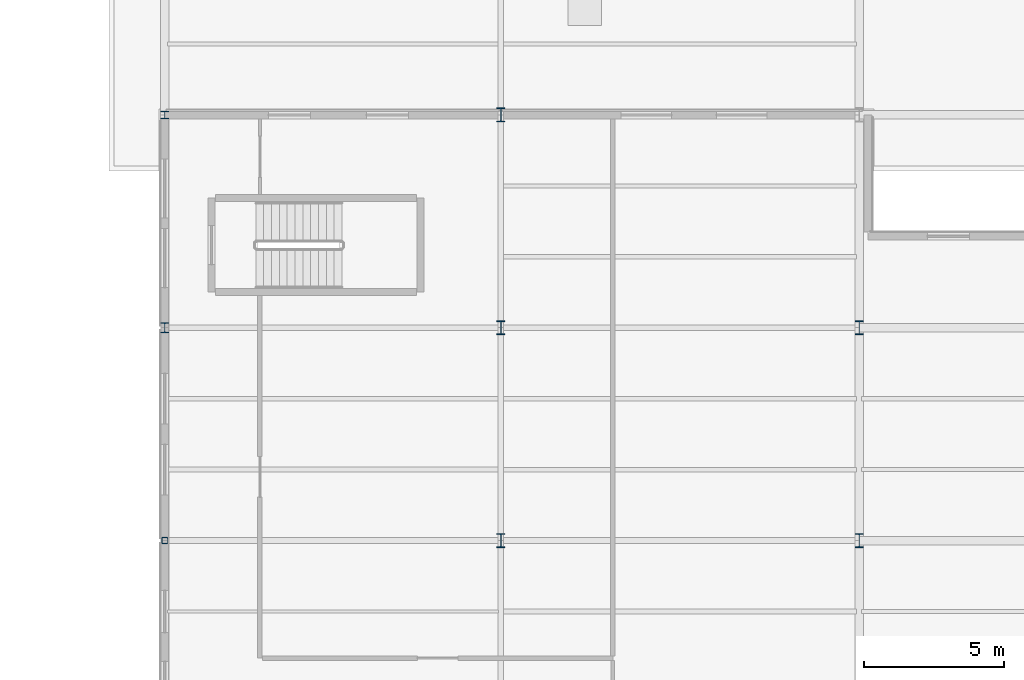
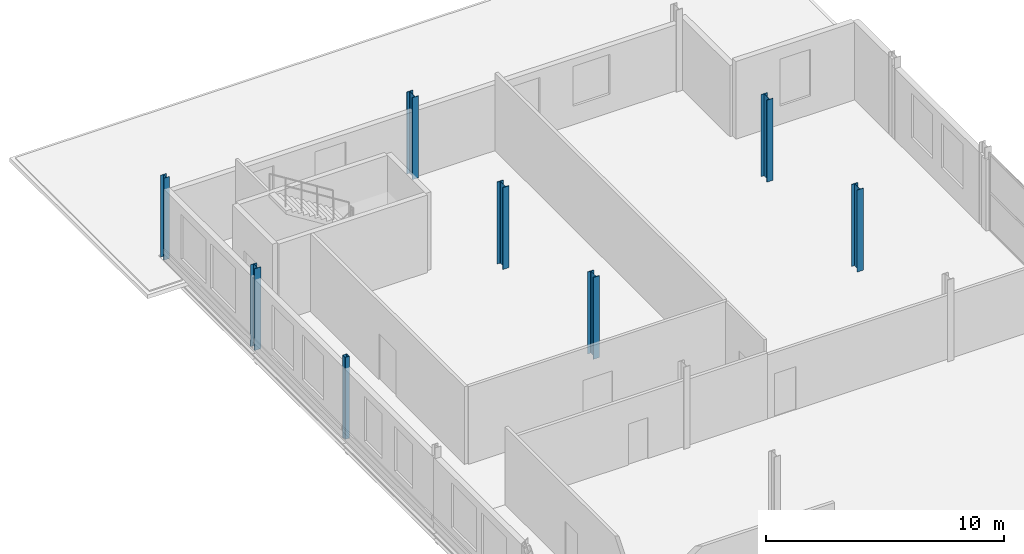
# One storey, part 15 of 101: 8 columns.
"""IFC4 building model written with IfcOpenShell, lengths in metres."""

from ifc_helpers import new_model, si_unit, direction, frame, origin, origin_2d, place, context, subcontext, project, spatial, hollow_rectangle, i_section, extrude, material, material_profile, profile_set, type_object, element, save


model = new_model("IFC4")

# Units and contexts
model_context = context("Model", 3, precision=1e-05, world=origin(), true_north=direction((0.0, 1.0)))
body_context = subcontext(model_context, "Body", "Model", "MODEL_VIEW")
ifc_project = project(units=[si_unit("LENGTHUNIT", "METRE"), si_unit("AREAUNIT", "SQUARE_METRE"), si_unit("VOLUMEUNIT", "CUBIC_METRE"), si_unit("PLANEANGLEUNIT", "RADIAN"), si_unit("MASSUNIT", "GRAM", prefix="KILO")], contexts=[model_context])

# Site, building, storey
site_placement = place(None, origin())
site = spatial("IfcSite", under=ifc_project, at=site_placement, CompositionType="ELEMENT")
building_placement = place(site_placement, origin())
building = spatial("IfcBuilding", under=site, at=building_placement, Name="Vekula Escarpment Museum", CompositionType="ELEMENT")
storey_placement = place(building_placement, frame((0.0, 0.0, 18.0)))
storey = spatial("IfcBuildingStorey", under=building, at=storey_placement, Name="L04", CompositionType="ELEMENT", Elevation=18.0)

# Columns
ifc_material_1 = material(Name="Steel S355", Category="steel")
ifc_material_profile_1 = material_profile(ifc_material_1, i_section(OverallWidth=0.280029296875, OverallDepth=0.27001953125, WebThickness=0.008056640625, FlangeThickness=0.012939453125, FilletRadius=0.02392578125, at=origin_2d()), Name="HEA 280")
ifc_profile_set_1 = profile_set([ifc_material_profile_1], Name="Steel S355")
column_type_1 = type_object("IfcColumnType", Name="COL-S-HEA280", PredefinedType="COLUMN", material=ifc_profile_set_1)
column_1_placement = place(storey_placement, frame((167.0, 120.800048828125, 0.0), z_axis=(0.0, 0.0, 1.0), x_axis=(1.0, 0.0, 0.0)))
element("IfcColumn", 1, at=column_1_placement, inside=storey, type_object=column_type_1, Name="Column L04 (167.0,120.8)", PredefinedType="COLUMN", context=body_context, shape_type="SweptSolid", body=[
    extrude(i_section(OverallWidth=0.280029296875, OverallDepth=0.27001953125, WebThickness=0.008056640625, FlangeThickness=0.012939453125, FilletRadius=0.02392578125, at=origin_2d()), origin(), (0.0, 0.0, 1.0), 4.199951171875),
])
ifc_material_2 = material(Name="Steel S355", Category="steel")
ifc_material_profile_2 = material_profile(ifc_material_2, i_section(OverallWidth=0.300048828125, OverallDepth=0.360107421875, WebThickness=0.012451171875, FlangeThickness=0.0224609375, FilletRadius=0.027099609375, at=origin_2d()), Name="HEB 360")
ifc_profile_set_2 = profile_set([ifc_material_profile_2], Name="Steel S355")
column_type_2 = type_object("IfcColumnType", Name="COL-S-HEB360", PredefinedType="COLUMN", material=ifc_profile_set_2)
column_2_placement = place(storey_placement, frame((167.0, 113.199951171875, 0.0), z_axis=(0.0, 0.0, 1.0), x_axis=(1.0, 0.0, 0.0)))
element("IfcColumn", 2, at=column_2_placement, inside=storey, type_object=column_type_2, Name="Column L04 (167.0,113.2)", PredefinedType="COLUMN", context=body_context, shape_type="SweptSolid", body=[
    extrude(i_section(OverallWidth=0.300048828125, OverallDepth=0.360107421875, WebThickness=0.012451171875, FlangeThickness=0.0224609375, FilletRadius=0.027099609375, at=origin_2d()), origin(), (0.0, 0.0, 1.0), 4.199951171875),
])
ifc_material_3 = material(Name="Steel S355", Category="steel")
ifc_material_profile_3 = material_profile(ifc_material_3, i_section(OverallWidth=0.300048828125, OverallDepth=0.5, WebThickness=0.014404296875, FlangeThickness=0.028076171875, FilletRadius=0.027099609375, at=origin_2d()), Name="HEB 500")
ifc_profile_set_3 = profile_set([ifc_material_profile_3], Name="Steel S355")
column_type_3 = type_object("IfcColumnType", Name="COL-S-HEB500", PredefinedType="COLUMN", material=ifc_profile_set_3)
for number, where, z_axis, x_axis, name in (
    (3, (179.0, 105.60009765625, 0.0), (0.0, 0.0, 1.0), (1.0, 0.0, 0.0), "Column L04 (179.0,105.6)"),
    (4, (179.0, 113.199951171875, 0.0), (0.0, 0.0, 1.0), (1.0, 0.0, 0.0), "Column L04 (179.0,113.2)"),
    (5, (179.0, 120.800048828125, 0.0), (0.0, 0.0, 1.0), (1.0, 0.0, 0.0), "Column L04 (179.0,120.8)"),
    (6, (191.800048828125, 105.60009765625, 0.0), (0.0, 0.0, 1.0), (1.0, 0.0, 0.0), "Column L04 (191.8,105.6)"),
    (7, (191.800048828125, 113.199951171875, 0.0), (0.0, 0.0, 1.0), (1.0, 0.0, 0.0), "Column L04 (191.8,113.2)"),
):
    element("IfcColumn", number, at=place(storey_placement, frame(where, z_axis=z_axis, x_axis=x_axis)), inside=storey, type_object=column_type_3, Name=name, PredefinedType="COLUMN", context=body_context, shape_type="SweptSolid", body=[
        extrude(i_section(OverallWidth=0.300048828125, OverallDepth=0.5, WebThickness=0.014404296875, FlangeThickness=0.028076171875, FilletRadius=0.027099609375, at=origin_2d()), origin(), (0.0, 0.0, 1.0), 4.199951171875),
    ])
ifc_material_4 = material(Name="Steel S355", Category="steel")
ifc_material_profile_4 = material_profile(ifc_material_4, hollow_rectangle(XDim=0.219970703125, YDim=0.219970703125, WallThickness=0.011962890625, InnerFilletRadius=0.011962890625, OuterFilletRadius=0.02392578125, at=origin_2d()), Name="SHS 220x220x12")
ifc_profile_set_4 = profile_set([ifc_material_profile_4], Name="Steel S355")
column_type_4 = type_object("IfcColumnType", Name="COL-S-SHS220", PredefinedType="COLUMN", material=ifc_profile_set_4)
column_3_placement = place(storey_placement, frame((167.0, 105.60009765625, 0.0), z_axis=(0.0, 0.0, 1.0), x_axis=(1.0, 0.0, 0.0)))
element("IfcColumn", 8, at=column_3_placement, inside=storey, type_object=column_type_4, Name="Column L04 (167.0,105.6)", PredefinedType="COLUMN", context=body_context, shape_type="SweptSolid", body=[
    extrude(hollow_rectangle(XDim=0.219970703125, YDim=0.219970703125, WallThickness=0.011962890625, InnerFilletRadius=0.011962890625, OuterFilletRadius=0.02392578125, at=origin_2d()), origin(), (0.0, 0.0, 1.0), 4.199951171875),
])

save(model, "model.ifc")
